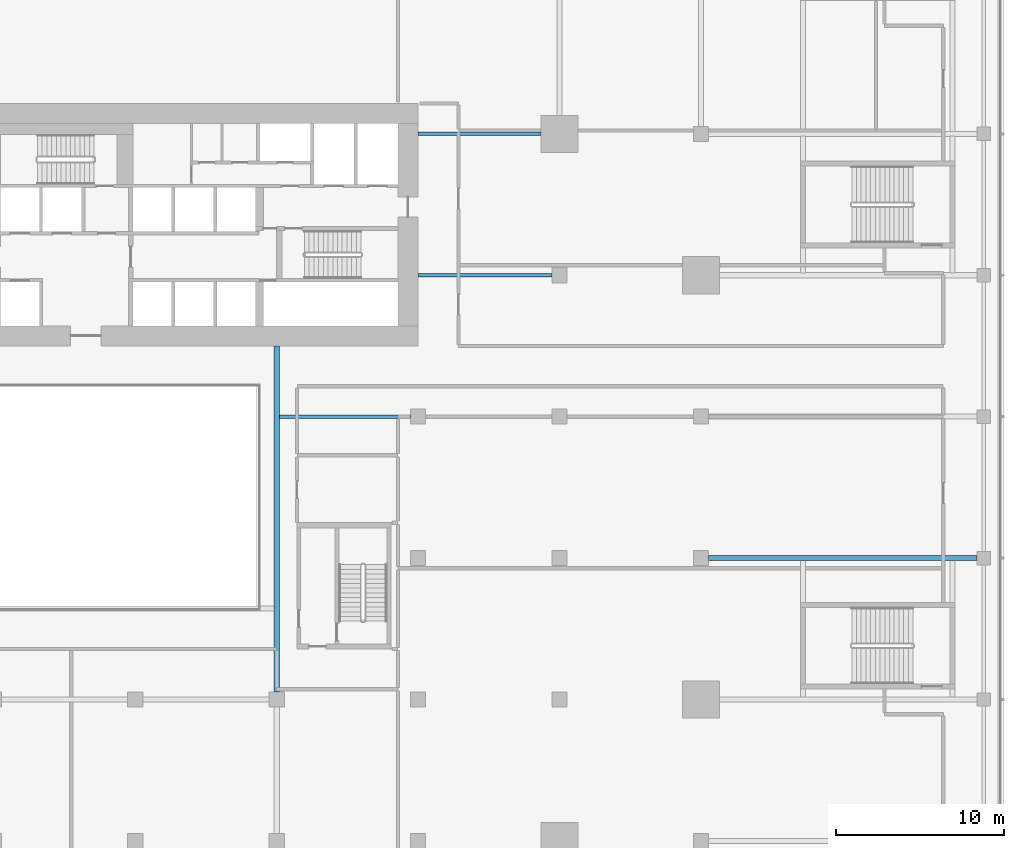
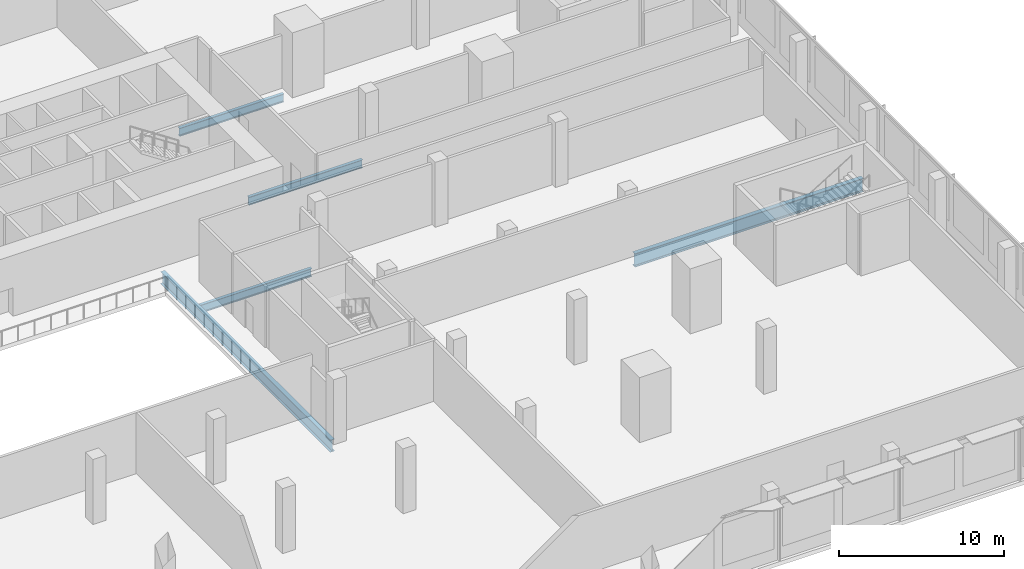
# One storey, part 13 of 39: 5 beams.
"""IFC4 building model written with IfcOpenShell, lengths in metres."""

from ifc_helpers import new_model, si_unit, direction, frame, origin, origin_2d, place, context, subcontext, project, spatial, i_section, extrude, material, material_profile, profile_set, type_object, element, save


model = new_model("IFC4")

# Units and contexts
model_context = context("Model", 3, precision=1e-05, world=origin(), true_north=direction((0.0, 1.0)))
body_context = subcontext(model_context, "Body", "Model", "MODEL_VIEW")
ifc_project = project(units=[si_unit("LENGTHUNIT", "METRE"), si_unit("AREAUNIT", "SQUARE_METRE"), si_unit("VOLUMEUNIT", "CUBIC_METRE"), si_unit("PLANEANGLEUNIT", "RADIAN"), si_unit("MASSUNIT", "GRAM", prefix="KILO")], contexts=[model_context])

# Site, building, storey
site_placement = place(None, origin())
site = spatial("IfcSite", under=ifc_project, at=site_placement, CompositionType="ELEMENT")
building_placement = place(site_placement, origin())
building = spatial("IfcBuilding", under=site, at=building_placement, Name="Saffron Gate Tower", CompositionType="ELEMENT")
storey_placement = place(building_placement, frame((0.0, 0.0, 14.39990234375)))
storey = spatial("IfcBuildingStorey", under=building, at=storey_placement, Name="L02", CompositionType="ELEMENT", Elevation=14.39990234375)

# Beams
ifc_material = material(Name="Structural steel S355", Category="steel")
ifc_material_profile_1 = material_profile(ifc_material, i_section(OverallWidth=0.219970703125, OverallDepth=0.60009765625, WebThickness=0.011962890625, FlangeThickness=0.01904296875, FilletRadius=0.02392578125, at=origin_2d()))
ifc_profile_set_1 = profile_set([ifc_material_profile_1], Name="Structural steel S355")
beam_type_1 = type_object("IfcBeamType", Name="B15 IPE 600", PredefinedType="BEAM", material=ifc_profile_set_1)
beam_1_placement = place(storey_placement, frame((108.14990234375, 57.0, -0.599853515625), z_axis=(-1.0, 0.0, 0.0), x_axis=(0.0, -1.0, 0.0)))
element("IfcBeam", 1, at=beam_1_placement, inside=storey, type_object=beam_type_1, Name="B15 CORE TIE BEAM", PredefinedType="BEAM", context=body_context, shape_type="SweptSolid", body=[
    extrude(i_section(OverallWidth=0.219970703125, OverallDepth=0.60009765625, WebThickness=0.011962890625, FlangeThickness=0.01904296875, FilletRadius=0.02392578125, at=origin_2d()), origin(), (0.0, 0.0, 1.0), 7.7998046875),
])
beam_2_placement = place(storey_placement, frame((116.550048828125, 65.39990234375, -0.599853515625), z_axis=(-1.0, 0.0, 0.0), x_axis=(0.0, -1.0, 0.0)))
element("IfcBeam", 2, at=beam_2_placement, inside=storey, type_object=beam_type_1, Name="B15 CORE TIE BEAM", PredefinedType="BEAM", context=body_context, shape_type="SweptSolid", body=[
    extrude(i_section(OverallWidth=0.219970703125, OverallDepth=0.60009765625, WebThickness=0.011962890625, FlangeThickness=0.01904296875, FilletRadius=0.02392578125, at=origin_2d()), origin(), (0.0, 0.0, 1.0), 7.949951171875),
])
beam_3_placement = place(storey_placement, frame((115.89990234375, 73.800048828125, -0.599853515625), z_axis=(-1.0, 0.0, 0.0), x_axis=(0.0, -1.0, 0.0)))
element("IfcBeam", 3, at=beam_3_placement, inside=storey, type_object=beam_type_1, Name="B15 CORE TIE BEAM", PredefinedType="BEAM", context=body_context, shape_type="SweptSolid", body=[
    extrude(i_section(OverallWidth=0.219970703125, OverallDepth=0.60009765625, WebThickness=0.011962890625, FlangeThickness=0.01904296875, FilletRadius=0.02392578125, at=origin_2d()), origin(), (0.0, 0.0, 1.0), 7.2998046875),
])
ifc_material_profile_2 = material_profile(ifc_material, i_section(OverallWidth=0.300048828125, OverallDepth=0.89990234375, WebThickness=0.0185546875, FlangeThickness=0.034912109375, FilletRadius=0.030029296875, at=origin_2d()))
ifc_profile_set_2 = profile_set([ifc_material_profile_2], Name="Structural steel S355")
beam_type_2 = type_object("IfcBeamType", Name="B20 HEB 900", PredefinedType="BEAM", material=ifc_profile_set_2)
beam_4_placement = place(storey_placement, frame((100.199951171875, 40.64990234375, -0.75), z_axis=(0.0, 1.0, 0.0), x_axis=(-1.0, 0.0, 0.0)))
element("IfcBeam", 4, at=beam_4_placement, inside=storey, type_object=beam_type_2, Name="B20 ATRIUM GIRDER", PredefinedType="BEAM", context=body_context, shape_type="SweptSolid", body=[
    extrude(i_section(OverallWidth=0.300048828125, OverallDepth=0.89990234375, WebThickness=0.0185546875, FlangeThickness=0.034912109375, FilletRadius=0.030029296875, at=origin_2d()), origin(), (0.0, 0.0, 1.0), 20.550048828125),
])
ifc_material_profile_3 = material_profile(ifc_material, i_section(OverallWidth=0.300048828125, OverallDepth=0.989990234375, WebThickness=0.0166015625, FlangeThickness=0.031005859375, FilletRadius=0.030029296875, at=origin_2d()))
ifc_profile_set_3 = profile_set([ifc_material_profile_3], Name="Structural steel S355")
beam_type_3 = type_object("IfcBeamType", Name="B21 HEA 1000", PredefinedType="BEAM", material=ifc_profile_set_3)
beam_5_placement = place(storey_placement, frame((141.800048828125, 48.60009765625, -0.794921875), z_axis=(-1.0, 0.0, 0.0), x_axis=(0.0, -1.0, 0.0)))
element("IfcBeam", 5, at=beam_5_placement, inside=storey, type_object=beam_type_3, Name="B21 PODIUM RING GIRDER", PredefinedType="BEAM", context=body_context, shape_type="SweptSolid", body=[
    extrude(i_section(OverallWidth=0.300048828125, OverallDepth=0.989990234375, WebThickness=0.0166015625, FlangeThickness=0.031005859375, FilletRadius=0.030029296875, at=origin_2d()), origin(), (0.0, 0.0, 1.0), 15.949951171875),
])

save(model, "model.ifc")
